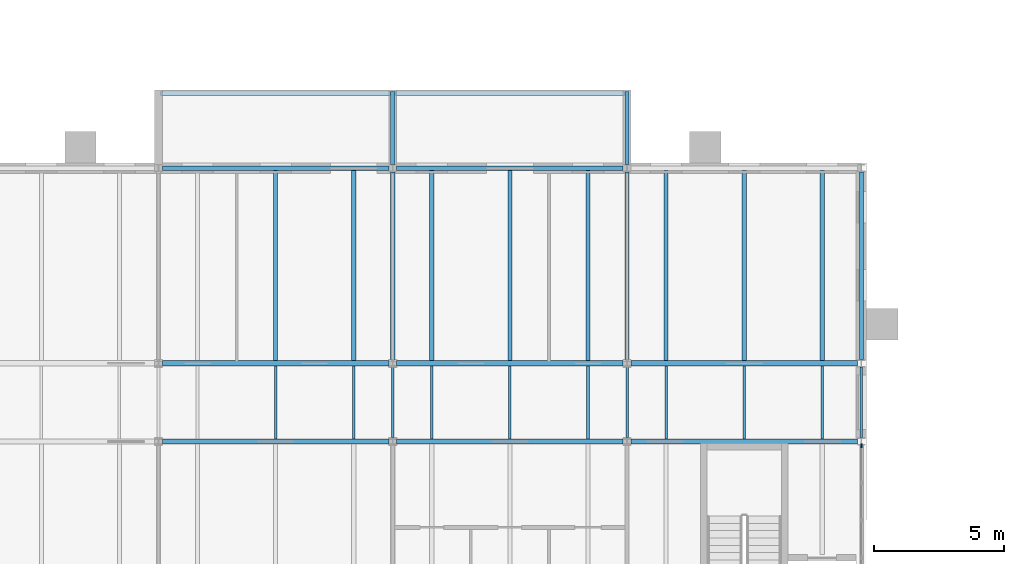
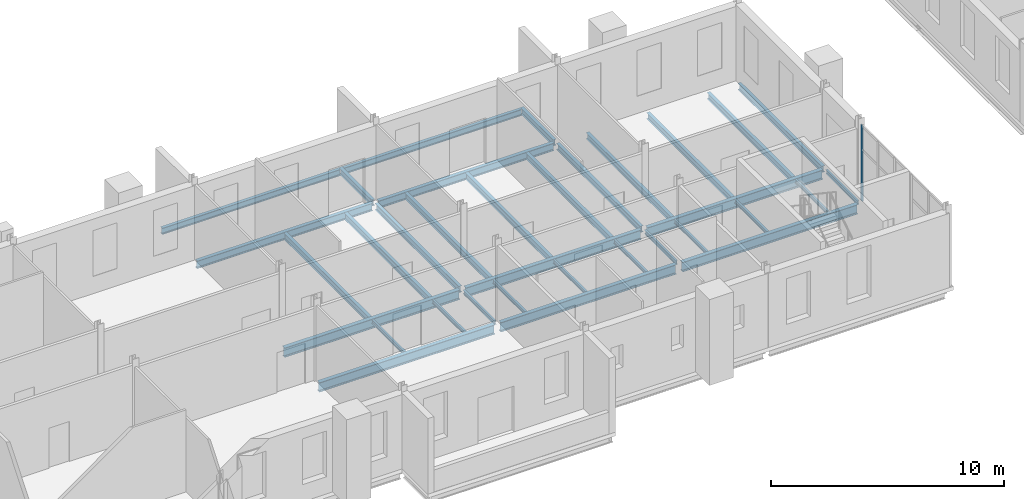
# One storey, part 43 of 131: 34 beams, 1 member, 1 element without a shape of its own.
"""IFC4 building model written with IfcOpenShell, lengths in metres."""

from ifc_helpers import new_model, si_unit, direction, frame, origin, origin_2d, place, context, subcontext, project, spatial, rectangle, i_section, extrude, material, layer, layer_set, material_profile, profile_set, type_object, element, aggregate, save


model = new_model("IFC4")

# Units and contexts
model_context = context("Model", 3, precision=1e-05, world=origin(), true_north=direction((0.0, 1.0)))
body_context = subcontext(model_context, "Body", "Model", "MODEL_VIEW")
ifc_project = project(units=[si_unit("LENGTHUNIT", "METRE"), si_unit("AREAUNIT", "SQUARE_METRE"), si_unit("VOLUMEUNIT", "CUBIC_METRE"), si_unit("PLANEANGLEUNIT", "RADIAN"), si_unit("MASSUNIT", "GRAM", prefix="KILO")], contexts=[model_context])

# Site, building, storey
site_placement = place(None, origin())
site = spatial("IfcSite", under=ifc_project, at=site_placement, CompositionType="ELEMENT")
building_placement = place(site_placement, origin())
building = spatial("IfcBuilding", under=site, at=building_placement, Name="Golden Quay Civic Hall", CompositionType="ELEMENT")
storey_placement = place(building_placement, frame((0.0, 0.0, 9.89990234375)))
storey = spatial("IfcBuildingStorey", under=building, at=storey_placement, Name="L02", CompositionType="ELEMENT", Elevation=9.89990234375)

# Curtain wall, member
ifc_material_1 = material(Name="Glass, laminated double glazed", Category="glass")
ifc_layer = layer(ifc_material_1, 0.199951171875)
ifc_layer_set = layer_set([ifc_layer], Name="Glazed core strip curtain wall")
curtain_wall_type = type_object("IfcCurtainWallType", Name="Glazed core strip curtain wall", PredefinedType="NOTDEFINED", material=ifc_layer_set)
curtain_wall_placement = place(storey_placement, origin())
curtain_wall = element("IfcCurtainWall", 1, at=curtain_wall_placement, inside=storey, type_object=curtain_wall_type, Name="Glazed core strip curtain wall L02 2", PredefinedType="NOTDEFINED")
ifc_material_2 = material(Name="Aluminium, anodised", Category="aluminium")
ifc_material_profile_1 = material_profile(ifc_material_2, rectangle(XDim=0.06005859375, YDim=0.159912109375, at=origin_2d()), Name="Aluminium 60 x 160")
ifc_profile_set_1 = profile_set([ifc_material_profile_1], Name="Aluminium, anodised")
member_type = type_object("IfcMemberType", Name="Aluminium mullion 60 x 160", PredefinedType="MULLION", material=ifc_profile_set_1)
member_placement = place(storey_placement, frame((54.0, 70.3349609375, 0.0), z_axis=(0.0, 0.0, 1.0), x_axis=(1.0, 0.0, 0.0)))
member = element("IfcMember", 2, at=member_placement, type_object=member_type, Name="CW2 mullion 1", PredefinedType="MULLION", context=body_context, shape_type="SweptSolid", body=[
    extrude(rectangle(XDim=0.06005859375, YDim=0.159912109375, at=origin_2d()), origin(), (0.0, 0.0, 1.0), 3.97021484375),
])
aggregate(curtain_wall, [member])

# Beams
ifc_material_3 = material(Name="Steel S355", Category="steel")
ifc_material_profile_2 = material_profile(ifc_material_3, i_section(OverallWidth=0.159912109375, OverallDepth=0.330078125, WebThickness=0.007568359375, FlangeThickness=0.011474609375, FilletRadius=0.01806640625, at=origin_2d()), Name="IPE 330")
ifc_profile_set_2 = profile_set([ifc_material_profile_2], Name="Steel S355")
beam_type_1 = type_object("IfcBeamType", Name="Loggia head beam IPE 330", PredefinedType="BEAM", material=ifc_profile_set_2)
for number, where, z_axis, x_axis, name in (
    (3, (27.080078125, 83.8701171875, -0.364990234375), (1.0, 0.0, 0.0), (0.0, 1.0, 0.0), "Loggia head beam IPE 330 L02 6"),
    (4, (36.080078125, 83.8701171875, -0.364990234375), (1.0, 0.0, 0.0), (0.0, 1.0, 0.0), "Loggia head beam IPE 330 L02 7"),
):
    element("IfcBeam", number, at=place(storey_placement, frame(where, z_axis=z_axis, x_axis=x_axis)), inside=storey, type_object=beam_type_1, Name=name, PredefinedType="BEAM", context=body_context, shape_type="SweptSolid", body=[
        extrude(i_section(OverallWidth=0.159912109375, OverallDepth=0.330078125, WebThickness=0.007568359375, FlangeThickness=0.011474609375, FilletRadius=0.01806640625, at=origin_2d()), origin(), (0.0, 0.0, 1.0), 8.83984375),
    ])
ifc_material_4 = material(Name="Steel S355", Category="steel")
ifc_material_profile_3 = material_profile(ifc_material_4, i_section(OverallWidth=0.159912109375, OverallDepth=0.330078125, WebThickness=0.007568359375, FlangeThickness=0.011474609375, FilletRadius=0.01806640625, at=origin_2d()), Name="IPE 330")
ifc_profile_set_3 = profile_set([ifc_material_profile_3], Name="Steel S355")
beam_type_2 = type_object("IfcBeamType", Name="Loggia stub IPE 330", PredefinedType="BEAM", material=ifc_profile_set_3)
for number, where, z_axis, x_axis, name in (
    (5, (36.0, 81.135009765625, -0.364990234375), (0.0, 1.0, 0.0), (-1.0, 0.0, 0.0), "Loggia stub IPE 330 L02 9"),
    (6, (45.0, 81.135009765625, -0.364990234375), (0.0, 1.0, 0.0), (-1.0, 0.0, 0.0), "Loggia stub IPE 330 L02 10"),
):
    element("IfcBeam", number, at=place(storey_placement, frame(where, z_axis=z_axis, x_axis=x_axis)), inside=storey, type_object=beam_type_2, Name=name, PredefinedType="BEAM", context=body_context, shape_type="SweptSolid", body=[
        extrude(i_section(OverallWidth=0.159912109375, OverallDepth=0.330078125, WebThickness=0.007568359375, FlangeThickness=0.011474609375, FilletRadius=0.01806640625, at=origin_2d()), origin(), (0.0, 0.0, 1.0), 2.81494140625),
    ])
ifc_material_5 = material(Name="Steel S355", Category="steel")
ifc_material_profile_4 = material_profile(ifc_material_5, i_section(OverallWidth=0.10009765625, OverallDepth=0.199951171875, WebThickness=0.005615234375, FlangeThickness=0.008544921875, FilletRadius=0.011962890625, at=origin_2d()), Name="IPE 200")
ifc_profile_set_4 = profile_set([ifc_material_profile_4], Name="Steel S355")
beam_type_3 = type_object("IfcBeamType", Name="Steel beam IPE 200", PredefinedType="BEAM", material=ifc_profile_set_4)
for number, where, z_axis, x_axis, name in (
    (7, (36.0, 70.64990234375, -0.2998046875), (0.0, 1.0, 0.0), (-1.0, 0.0, 0.0), "Beam S36-70.5"),
    (8, (45.0, 70.64990234375, -0.2998046875), (0.0, 1.0, 0.0), (-1.0, 0.0, 0.0), "Beam S45-70.5"),
):
    element("IfcBeam", number, at=place(storey_placement, frame(where, z_axis=z_axis, x_axis=x_axis)), inside=storey, type_object=beam_type_3, Name=name, PredefinedType="BEAM", context=body_context, shape_type="SweptSolid", body=[
        extrude(i_section(OverallWidth=0.10009765625, OverallDepth=0.199951171875, WebThickness=0.005615234375, FlangeThickness=0.008544921875, FilletRadius=0.011962890625, at=origin_2d()), origin(), (0.0, 0.0, 1.0), 2.7001953125),
    ])
beam_1_placement = place(storey_placement, frame((54.0, 70.64501953125, -0.2998046875), z_axis=(0.0, 1.0, 0.0), x_axis=(-1.0, 0.0, 0.0)))
element("IfcBeam", 9, at=beam_1_placement, inside=storey, type_object=beam_type_3, Name="Beam S54-70.5", PredefinedType="BEAM", context=body_context, shape_type="SweptSolid", body=[
    extrude(i_section(OverallWidth=0.10009765625, OverallDepth=0.199951171875, WebThickness=0.005615234375, FlangeThickness=0.008544921875, FilletRadius=0.011962890625, at=origin_2d()), origin(), (0.0, 0.0, 1.0), 2.7099609375),
])
ifc_material_6 = material(Name="Steel S355", Category="steel")
ifc_material_profile_5 = material_profile(ifc_material_6, i_section(OverallWidth=0.159912109375, OverallDepth=0.330078125, WebThickness=0.007568359375, FlangeThickness=0.011474609375, FilletRadius=0.01806640625, at=origin_2d()), Name="IPE 330")
ifc_profile_set_5 = profile_set([ifc_material_profile_5], Name="Steel S355")
beam_type_4 = type_object("IfcBeamType", Name="Steel beam IPE 330", PredefinedType="BEAM", material=ifc_profile_set_5)
for number, where, z_axis, x_axis, name in (
    (10, (36.0, 73.64990234375, -0.364990234375), (0.0, 1.0, 0.0), (-1.0, 0.0, 0.0), "Beam S36-73.5"),
    (11, (45.0, 73.64990234375, -0.364990234375), (0.0, 1.0, 0.0), (-1.0, 0.0, 0.0), "Beam S45-73.5"),
):
    element("IfcBeam", number, at=place(storey_placement, frame(where, z_axis=z_axis, x_axis=x_axis)), inside=storey, type_object=beam_type_4, Name=name, PredefinedType="BEAM", context=body_context, shape_type="SweptSolid", body=[
        extrude(i_section(OverallWidth=0.159912109375, OverallDepth=0.330078125, WebThickness=0.007568359375, FlangeThickness=0.011474609375, FilletRadius=0.01806640625, at=origin_2d()), origin(), (0.0, 0.0, 1.0), 7.205078125),
    ])
beam_2_placement = place(storey_placement, frame((54.0, 73.64501953125, -0.364990234375), z_axis=(0.0, 1.0, 0.0), x_axis=(-1.0, 0.0, 0.0)))
element("IfcBeam", 12, at=beam_2_placement, inside=storey, type_object=beam_type_4, Name="Beam S54-73.5", PredefinedType="BEAM", context=body_context, shape_type="SweptSolid", body=[
    extrude(i_section(OverallWidth=0.159912109375, OverallDepth=0.330078125, WebThickness=0.007568359375, FlangeThickness=0.011474609375, FilletRadius=0.01806640625, at=origin_2d()), origin(), (0.0, 0.0, 1.0), 7.2099609375),
])
ifc_material_7 = material(Name="Steel S355", Category="steel")
ifc_material_profile_6 = material_profile(ifc_material_7, i_section(OverallWidth=0.179931640625, OverallDepth=0.39990234375, WebThickness=0.008544921875, FlangeThickness=0.013427734375, FilletRadius=0.02099609375, at=origin_2d()), Name="IPE 400")
ifc_profile_set_6 = profile_set([ifc_material_profile_6], Name="Steel S355")
beam_type_5 = type_object("IfcBeamType", Name="Steel beam IPE 400", PredefinedType="BEAM", material=ifc_profile_set_6)
for number, where, z_axis, x_axis, name in (
    (13, (27.14990234375, 81.0, -0.39990234375), (1.0, 0.0, 0.0), (0.0, 1.0, 0.0), "Beam L81-27"),
    (14, (36.14990234375, 81.0, -0.39990234375), (1.0, 0.0, 0.0), (0.0, 1.0, 0.0), "Beam L81-36"),
):
    element("IfcBeam", number, at=place(storey_placement, frame(where, z_axis=z_axis, x_axis=x_axis)), inside=storey, type_object=beam_type_5, Name=name, PredefinedType="BEAM", context=body_context, shape_type="SweptSolid", body=[
        extrude(i_section(OverallWidth=0.179931640625, OverallDepth=0.39990234375, WebThickness=0.008544921875, FlangeThickness=0.013427734375, FilletRadius=0.02099609375, at=origin_2d()), origin(), (0.0, 0.0, 1.0), 8.7001953125),
    ])
ifc_material_8 = material(Name="Steel S355", Category="steel")
ifc_material_profile_7 = material_profile(ifc_material_8, i_section(OverallWidth=0.199951171875, OverallDepth=0.5, WebThickness=0.01025390625, FlangeThickness=0.01611328125, FilletRadius=0.02099609375, at=origin_2d()), Name="IPE 500")
ifc_profile_set_7 = profile_set([ifc_material_profile_7], Name="Steel S355")
beam_type_6 = type_object("IfcBeamType", Name="Steel beam IPE 500", PredefinedType="BEAM", material=ifc_profile_set_7)
for number, where, z_axis, x_axis, name in (
    (15, (27.14990234375, 70.5, -0.449951171875), (1.0, 0.0, 0.0), (0.0, 1.0, 0.0), "Beam L70.5-27"),
    (16, (36.14990234375, 70.5, -0.449951171875), (1.0, 0.0, 0.0), (0.0, 1.0, 0.0), "Beam L70.5-36"),
    (17, (45.14990234375, 70.5, -0.449951171875), (1.0, 0.0, 0.0), (0.0, 1.0, 0.0), "Beam L70.5-45"),
    (18, (27.14990234375, 73.5, -0.449951171875), (1.0, 0.0, 0.0), (0.0, 1.0, 0.0), "Beam L73.5-27"),
    (19, (36.14990234375, 73.5, -0.449951171875), (1.0, 0.0, 0.0), (0.0, 1.0, 0.0), "Beam L73.5-36"),
    (20, (45.14990234375, 73.5, -0.449951171875), (1.0, 0.0, 0.0), (0.0, 1.0, 0.0), "Beam L73.5-45"),
):
    element("IfcBeam", number, at=place(storey_placement, frame(where, z_axis=z_axis, x_axis=x_axis)), inside=storey, type_object=beam_type_6, Name=name, PredefinedType="BEAM", context=body_context, shape_type="SweptSolid", body=[
        extrude(i_section(OverallWidth=0.199951171875, OverallDepth=0.5, WebThickness=0.01025390625, FlangeThickness=0.01611328125, FilletRadius=0.02099609375, at=origin_2d()), origin(), (0.0, 0.0, 1.0), 8.7001953125),
    ])
ifc_material_9 = material(Name="Steel S355", Category="steel")
ifc_material_profile_8 = material_profile(ifc_material_9, i_section(OverallWidth=0.10009765625, OverallDepth=0.199951171875, WebThickness=0.005615234375, FlangeThickness=0.008544921875, FilletRadius=0.011962890625, at=origin_2d()), Name="IPE 200")
ifc_profile_set_8 = profile_set([ifc_material_profile_8], Name="Steel S355")
beam_type_7 = type_object("IfcBeamType", Name="Steel joist IPE 200", PredefinedType="JOIST", material=ifc_profile_set_8)
for number, where, z_axis, x_axis, name in (
    (21, (31.5, 70.60009765625, -0.2998046875), (0.0, 1.0, 0.0), (-1.0, 0.0, 0.0), "Joist J31.5-70.5"),
    (22, (34.5, 70.60009765625, -0.2998046875), (0.0, 1.0, 0.0), (-1.0, 0.0, 0.0), "Joist J34.5-70.5"),
    (23, (37.5, 70.60009765625, -0.2998046875), (0.0, 1.0, 0.0), (-1.0, 0.0, 0.0), "Joist J37.5-70.5"),
    (24, (40.5, 70.60009765625, -0.2998046875), (0.0, 1.0, 0.0), (-1.0, 0.0, 0.0), "Joist J40.5-70.5"),
    (25, (43.5, 70.60009765625, -0.2998046875), (0.0, 1.0, 0.0), (-1.0, 0.0, 0.0), "Joist J43.5-70.5"),
    (26, (46.5, 70.60009765625, -0.2998046875), (0.0, 1.0, 0.0), (-1.0, 0.0, 0.0), "Joist J46.5-70.5"),
    (27, (49.5, 70.60009765625, -0.2998046875), (0.0, 1.0, 0.0), (-1.0, 0.0, 0.0), "Joist J49.5-70.5"),
    (28, (52.5, 70.60009765625, -0.2998046875), (0.0, 1.0, 0.0), (-1.0, 0.0, 0.0), "Joist J52.5-70.5"),
):
    element("IfcBeam", number, at=place(storey_placement, frame(where, z_axis=z_axis, x_axis=x_axis)), inside=storey, type_object=beam_type_7, Name=name, PredefinedType="JOIST", context=body_context, shape_type="SweptSolid", body=[
        extrude(i_section(OverallWidth=0.10009765625, OverallDepth=0.199951171875, WebThickness=0.005615234375, FlangeThickness=0.008544921875, FilletRadius=0.011962890625, at=origin_2d()), origin(), (0.0, 0.0, 1.0), 2.7998046875),
    ])
ifc_material_10 = material(Name="Steel S355", Category="steel")
ifc_material_profile_9 = material_profile(ifc_material_10, i_section(OverallWidth=0.159912109375, OverallDepth=0.330078125, WebThickness=0.007568359375, FlangeThickness=0.011474609375, FilletRadius=0.01806640625, at=origin_2d()), Name="IPE 330")
ifc_profile_set_9 = profile_set([ifc_material_profile_9], Name="Steel S355")
beam_type_8 = type_object("IfcBeamType", Name="Steel joist IPE 330", PredefinedType="JOIST", material=ifc_profile_set_9)
for number, where, z_axis, x_axis, name in (
    (29, (31.5, 73.60009765625, -0.364990234375), (0.0, 1.0, 0.0), (-1.0, 0.0, 0.0), "Joist J31.5-73.5"),
    (30, (34.5, 73.60009765625, -0.364990234375), (0.0, 1.0, 0.0), (-1.0, 0.0, 0.0), "Joist J34.5-73.5"),
    (31, (37.5, 73.60009765625, -0.364990234375), (0.0, 1.0, 0.0), (-1.0, 0.0, 0.0), "Joist J37.5-73.5"),
    (32, (40.5, 73.60009765625, -0.364990234375), (0.0, 1.0, 0.0), (-1.0, 0.0, 0.0), "Joist J40.5-73.5"),
    (33, (43.5, 73.60009765625, -0.364990234375), (0.0, 1.0, 0.0), (-1.0, 0.0, 0.0), "Joist J43.5-73.5"),
    (34, (46.5, 73.60009765625, -0.364990234375), (0.0, 1.0, 0.0), (-1.0, 0.0, 0.0), "Joist J46.5-73.5"),
    (35, (49.5, 73.60009765625, -0.364990234375), (0.0, 1.0, 0.0), (-1.0, 0.0, 0.0), "Joist J49.5-73.5"),
    (36, (52.5, 73.60009765625, -0.364990234375), (0.0, 1.0, 0.0), (-1.0, 0.0, 0.0), "Joist J52.5-73.5"),
):
    element("IfcBeam", number, at=place(storey_placement, frame(where, z_axis=z_axis, x_axis=x_axis)), inside=storey, type_object=beam_type_8, Name=name, PredefinedType="JOIST", context=body_context, shape_type="SweptSolid", body=[
        extrude(i_section(OverallWidth=0.159912109375, OverallDepth=0.330078125, WebThickness=0.007568359375, FlangeThickness=0.011474609375, FilletRadius=0.01806640625, at=origin_2d()), origin(), (0.0, 0.0, 1.0), 7.309814453125),
    ])

save(model, "model.ifc")
